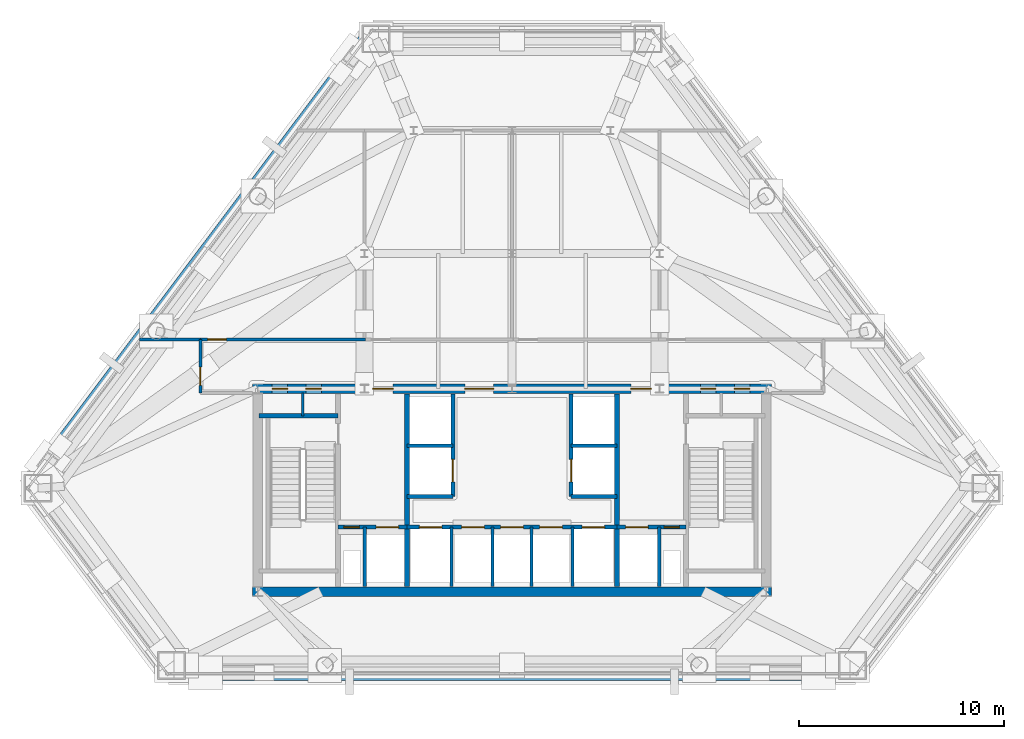
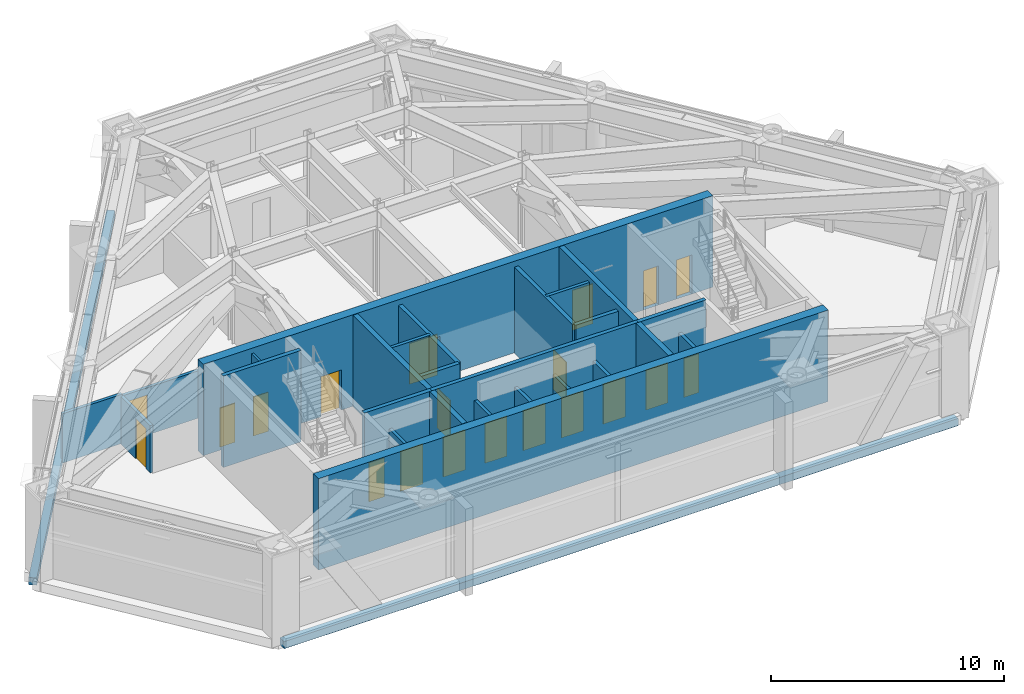
# One storey, part 6 of 9: 26 walls, 20 doors, 20 openings.
"""IFC4 building model written with IfcOpenShell, lengths in metres."""

from ifc_helpers import new_model, si_unit, direction, frame, frame_2d, origin, place, context, subcontext, project, spatial, rectangle, extrude, material, layer, layer_set, type_object, element, fill, save


model = new_model("IFC4")

# Units and contexts
model_context = context("Model", 3, precision=1e-05, world=origin(), true_north=direction((0.0, 1.0)))
body_context = subcontext(model_context, "Body", "Model", "MODEL_VIEW")
ifc_project = project(units=[si_unit("LENGTHUNIT", "METRE"), si_unit("AREAUNIT", "SQUARE_METRE"), si_unit("VOLUMEUNIT", "CUBIC_METRE"), si_unit("PLANEANGLEUNIT", "RADIAN"), si_unit("MASSUNIT", "GRAM", prefix="KILO")], contexts=[model_context])

# Site, building, storey
site_placement = place(None, origin())
site = spatial("IfcSite", under=ifc_project, at=site_placement, CompositionType="ELEMENT")
building_placement = place(site_placement, origin())
building = spatial("IfcBuilding", under=site, at=building_placement, Name="Talgorran Terracotta Tower", CompositionType="ELEMENT")
storey_placement = place(building_placement, frame((0.0, 0.0, 90.0)))
storey = spatial("IfcBuildingStorey", under=building, at=storey_placement, Name="L23", CompositionType="ELEMENT", Elevation=90.0)

# Wall
ifc_material_1 = material(Name="Concrete C50/60", Category="concrete")
ifc_layer_1 = layer(ifc_material_1, 0.199951171875, Name="WT_CORE_200")
ifc_layer_set_1 = layer_set([ifc_layer_1], Name="Concrete C50/60")
wall_type_1 = type_object("IfcWallType", Name="WT_CORE_200", PredefinedType="SOLIDWALL", material=ifc_layer_set_1)
wall_1_placement = place(storey_placement, frame((-12.35009765625, -5.52001953125, 0.0), z_axis=(0.0, 0.0, 1.0), x_axis=(1.0, 0.0, 0.0)))
element("IfcWall", 1, at=wall_1_placement, inside=storey, type_object=wall_type_1, Name="WL-L23-CW-ST1-N", PredefinedType="SOLIDWALL", context=body_context, shape_type="SweptSolid", body=[
    extrude(rectangle(XDim=3.8701171875, YDim=0.199951171875, at=frame_2d((1.93505859375, 0.0))), origin(), (0.0, 0.0, 1.0), 4.800048828125),
])

# Wall, openings, doors
wall_2_placement = place(storey_placement, frame((-8.47998046875, -10.949951171875, 0.0), z_axis=(0.0, 0.0, 1.0), x_axis=(1.0, 0.0, 0.0)))
wall_2 = element("IfcWall", 2, at=wall_2_placement, inside=storey, type_object=wall_type_1, Name="WL-L23-CW-H-SBW", PredefinedType="SOLIDWALL", context=body_context, shape_type="SweptSolid", body=[
    extrude(rectangle(XDim=3.35986328125, YDim=0.199951171875, at=frame_2d((1.679931640625, 0.0))), origin(), (0.0, 0.0, 1.0), 4.800048828125),
])
opening_1_placement = place(wall_2_placement, frame((0.280029296875, 0.0, 0.0)))
opening_1 = element("IfcOpeningElement", 3, at=opening_1_placement, cuts=wall_2, Name="Opening DR-RSW", PredefinedType="OPENING", context=body_context, shape_type="SweptSolid", body=[
    extrude(rectangle(XDim=0.756, YDim=2.054048828125, at=frame_2d((0.375, 1.027099609375))), frame((0.0, 0.10986328125, 0.0), z_axis=(0.0, -1.0, 0.0), x_axis=(1.0, 0.0, 0.0)), (0.0, 0.0, 1.0), 0.219970703125),
])
opening_2_placement = place(wall_2_placement, frame((1.85009765625, 0.0, 0.0)))
opening_2 = element("IfcOpeningElement", 4, at=opening_2_placement, cuts=wall_2, Name="Opening LD-FFL1", PredefinedType="OPENING", context=body_context, shape_type="SweptSolid", body=[
    extrude(rectangle(XDim=1.10609765625, YDim=2.10409765625, at=frame_2d((0.550048828125, 1.052001953125))), frame((0.0, 0.10986328125, 0.0), z_axis=(0.0, -1.0, 0.0), x_axis=(1.0, 0.0, 0.0)), (0.0, 0.0, 1.0), 0.219970703125),
])
ifc_material_2 = material(Name="Brushed Stainless Steel Grade 304", Category="steel")
door_type_1 = type_object("IfcDoorType", Name="DT_LIFT_LD1100", OperationType="DOUBLE_DOOR_SLIDING", PredefinedType="DOOR", material=ifc_material_2)
door_1_placement = place(opening_2_placement, origin())
door_1 = element("IfcDoor", 5, at=door_1_placement, inside=storey, type_object=door_type_1, Name="L23 Lift Landing Door LD-FFL1", OperationType="DOUBLE_DOOR_SLIDING", OverallHeight=2.10009765625, OverallWidth=1.10009765625, PredefinedType="DOOR", context=body_context, shape_type="SweptSolid", body=[
    extrude(rectangle(XDim=1.10009765625, YDim=2.10009765625, at=frame_2d((0.550048828125, 1.050048828125))), frame((0.0, 0.02490234375, 0.0), z_axis=(0.0, -1.0, 0.0), x_axis=(1.0, 0.0, 0.0)), (0.0, 0.0, 1.0), 0.050048828125),
])
fill(opening_2, door_1)
ifc_material_3 = material(Name="Fire-Rated Pressed Steel", Category="steel")
door_type_2 = type_object("IfcDoorType", Name="DT_RISER_750", OperationType="NOTDEFINED", PredefinedType="DOOR", material=ifc_material_3)
door_2_placement = place(opening_1_placement, origin())
door_2 = element("IfcDoor", 6, at=door_2_placement, inside=storey, type_object=door_type_2, Name="DR-RSW", OperationType="SINGLE_SWING_LEFT", OverallHeight=2.050048828125, OverallWidth=0.75, PredefinedType="DOOR", context=body_context, shape_type="SweptSolid", body=[
    extrude(rectangle(XDim=0.75, YDim=2.050048828125, at=frame_2d((0.375, 1.02490234375))), frame((0.0, 0.02490234375, 0.0), z_axis=(0.0, -1.0, 0.0), x_axis=(1.0, 0.0, 0.0)), (0.0, 0.0, 1.0), 0.050048828125),
])
fill(opening_1, door_2)

wall_3_placement = place(storey_placement, frame((-5.1201171875, -10.949951171875, 0.0), z_axis=(0.0, 0.0, 1.0), x_axis=(1.0, 0.0, 0.0)))
wall_3 = element("IfcWall", 7, at=wall_3_placement, inside=storey, type_object=wall_type_1, Name="WL-L23-CW-H-SBC", PredefinedType="SOLIDWALL", context=body_context, shape_type="SweptSolid", body=[
    extrude(rectangle(XDim=10.240234375, YDim=0.199951171875, at=frame_2d((5.1201171875, 0.0))), origin(), (0.0, 0.0, 1.0), 4.800048828125),
])
opening_3_placement = place(wall_3_placement, frame((0.60009765625, 0.0, 0.0)))
opening_3 = element("IfcOpeningElement", 8, at=opening_3_placement, cuts=wall_3, Name="Opening LD-OB1", PredefinedType="OPENING", context=body_context, shape_type="SweptSolid", body=[
    extrude(rectangle(XDim=1.10609765625, YDim=2.10409765625, at=frame_2d((0.550048828125, 1.052001953125))), frame((0.0, 0.10986328125, 0.0), z_axis=(0.0, -1.0, 0.0), x_axis=(1.0, 0.0, 0.0)), (0.0, 0.0, 1.0), 0.219970703125),
])
opening_4_placement = place(wall_3_placement, frame((2.669921875, 0.0, 0.0)))
opening_4 = element("IfcOpeningElement", 9, at=opening_4_placement, cuts=wall_3, Name="Opening LD-PLH1", PredefinedType="OPENING", context=body_context, shape_type="SweptSolid", body=[
    extrude(rectangle(XDim=1.10609765625, YDim=2.10409765625, at=frame_2d((0.550048828125, 1.052001953125))), frame((0.0, 0.10986328125, 0.0), z_axis=(0.0, -1.0, 0.0), x_axis=(1.0, 0.0, 0.0)), (0.0, 0.0, 1.0), 0.219970703125),
])
opening_5_placement = place(wall_3_placement, frame((4.570068359375, 0.0, 0.0)))
opening_5 = element("IfcOpeningElement", 10, at=opening_5_placement, cuts=wall_3, Name="Opening LD-PLH2", PredefinedType="OPENING", context=body_context, shape_type="SweptSolid", body=[
    extrude(rectangle(XDim=1.10609765625, YDim=2.10409765625, at=frame_2d((0.550048828125, 1.052001953125))), frame((0.0, 0.10986328125, 0.0), z_axis=(0.0, -1.0, 0.0), x_axis=(1.0, 0.0, 0.0)), (0.0, 0.0, 1.0), 0.219970703125),
])
opening_6_placement = place(wall_3_placement, frame((6.469970703125, 0.0, 0.0)))
opening_6 = element("IfcOpeningElement", 11, at=opening_6_placement, cuts=wall_3, Name="Opening LD-PLH3", PredefinedType="OPENING", context=body_context, shape_type="SweptSolid", body=[
    extrude(rectangle(XDim=1.10609765625, YDim=2.10409765625, at=frame_2d((0.550048828125, 1.052001953125))), frame((0.0, 0.10986328125, 0.0), z_axis=(0.0, -1.0, 0.0), x_axis=(1.0, 0.0, 0.0)), (0.0, 0.0, 1.0), 0.219970703125),
])
opening_7_placement = place(wall_3_placement, frame((8.5400390625, 0.0, 0.0)))
opening_7 = element("IfcOpeningElement", 12, at=opening_7_placement, cuts=wall_3, Name="Opening LD-SVL1", PredefinedType="OPENING", context=body_context, shape_type="SweptSolid", body=[
    extrude(rectangle(XDim=1.10609765625, YDim=2.10409765625, at=frame_2d((0.550048828125, 1.052001953125))), frame((0.0, 0.10986328125, 0.0), z_axis=(0.0, -1.0, 0.0), x_axis=(1.0, 0.0, 0.0)), (0.0, 0.0, 1.0), 0.219970703125),
])
door_3_placement = place(opening_3_placement, origin())
door_3 = element("IfcDoor", 13, at=door_3_placement, inside=storey, type_object=door_type_1, Name="L23 Lift Landing Door LD-OB1", OperationType="DOUBLE_DOOR_SLIDING", OverallHeight=2.10009765625, OverallWidth=1.10009765625, PredefinedType="DOOR", context=body_context, shape_type="SweptSolid", body=[
    extrude(rectangle(XDim=1.10009765625, YDim=2.10009765625, at=frame_2d((0.550048828125, 1.050048828125))), frame((0.0, 0.02490234375, 0.0), z_axis=(0.0, -1.0, 0.0), x_axis=(1.0, 0.0, 0.0)), (0.0, 0.0, 1.0), 0.050048828125),
])
fill(opening_3, door_3)
door_4_placement = place(opening_4_placement, origin())
door_4 = element("IfcDoor", 14, at=door_4_placement, inside=storey, type_object=door_type_1, Name="L23 Lift Landing Door LD-PLH1", OperationType="DOUBLE_DOOR_SLIDING", OverallHeight=2.10009765625, OverallWidth=1.10009765625, PredefinedType="DOOR", context=body_context, shape_type="SweptSolid", body=[
    extrude(rectangle(XDim=1.10009765625, YDim=2.10009765625, at=frame_2d((0.550048828125, 1.050048828125))), frame((0.0, 0.02490234375, 0.0), z_axis=(0.0, -1.0, 0.0), x_axis=(1.0, 0.0, 0.0)), (0.0, 0.0, 1.0), 0.050048828125),
])
fill(opening_4, door_4)
door_5_placement = place(opening_5_placement, origin())
door_5 = element("IfcDoor", 15, at=door_5_placement, inside=storey, type_object=door_type_1, Name="L23 Lift Landing Door LD-PLH2", OperationType="DOUBLE_DOOR_SLIDING", OverallHeight=2.10009765625, OverallWidth=1.10009765625, PredefinedType="DOOR", context=body_context, shape_type="SweptSolid", body=[
    extrude(rectangle(XDim=1.10009765625, YDim=2.10009765625, at=frame_2d((0.550048828125, 1.050048828125))), frame((0.0, 0.02490234375, 0.0), z_axis=(0.0, -1.0, 0.0), x_axis=(1.0, 0.0, 0.0)), (0.0, 0.0, 1.0), 0.050048828125),
])
fill(opening_5, door_5)
door_6_placement = place(opening_6_placement, origin())
door_6 = element("IfcDoor", 16, at=door_6_placement, inside=storey, type_object=door_type_1, Name="L23 Lift Landing Door LD-PLH3", OperationType="DOUBLE_DOOR_SLIDING", OverallHeight=2.10009765625, OverallWidth=1.10009765625, PredefinedType="DOOR", context=body_context, shape_type="SweptSolid", body=[
    extrude(rectangle(XDim=1.10009765625, YDim=2.10009765625, at=frame_2d((0.550048828125, 1.050048828125))), frame((0.0, 0.02490234375, 0.0), z_axis=(0.0, -1.0, 0.0), x_axis=(1.0, 0.0, 0.0)), (0.0, 0.0, 1.0), 0.050048828125),
])
fill(opening_6, door_6)
door_7_placement = place(opening_7_placement, origin())
door_7 = element("IfcDoor", 17, at=door_7_placement, inside=storey, type_object=door_type_1, Name="L23 Lift Landing Door LD-SVL1", OperationType="DOUBLE_DOOR_SLIDING", OverallHeight=2.10009765625, OverallWidth=1.10009765625, PredefinedType="DOOR", context=body_context, shape_type="SweptSolid", body=[
    extrude(rectangle(XDim=1.10009765625, YDim=2.10009765625, at=frame_2d((0.550048828125, 1.050048828125))), frame((0.0, 0.02490234375, 0.0), z_axis=(0.0, -1.0, 0.0), x_axis=(1.0, 0.0, 0.0)), (0.0, 0.0, 1.0), 0.050048828125),
])
fill(opening_7, door_7)

wall_4_placement = place(storey_placement, frame((5.1201171875, -10.949951171875, 0.0), z_axis=(0.0, 0.0, 1.0), x_axis=(1.0, 0.0, 0.0)))
wall_4 = element("IfcWall", 18, at=wall_4_placement, inside=storey, type_object=wall_type_1, Name="WL-L23-CW-H-SBE", PredefinedType="SOLIDWALL", context=body_context, shape_type="SweptSolid", body=[
    extrude(rectangle(XDim=3.35986328125, YDim=0.199951171875, at=frame_2d((1.679931640625, 0.0))), origin(), (0.0, 0.0, 1.0), 4.800048828125),
])
opening_8_placement = place(wall_4_placement, frame((0.419921875, 0.0, 0.0)))
opening_8 = element("IfcOpeningElement", 19, at=opening_8_placement, cuts=wall_4, Name="Opening LD-FFL2", PredefinedType="OPENING", context=body_context, shape_type="SweptSolid", body=[
    extrude(rectangle(XDim=1.10609765625, YDim=2.10409765625, at=frame_2d((0.550048828125, 1.052001953125))), frame((0.0, 0.10986328125, 0.0), z_axis=(0.0, -1.0, 0.0), x_axis=(1.0, 0.0, 0.0)), (0.0, 0.0, 1.0), 0.219970703125),
])
opening_9_placement = place(wall_4_placement, frame((2.300048828125, 0.0, 0.0)))
opening_9 = element("IfcOpeningElement", 20, at=opening_9_placement, cuts=wall_4, Name="Opening DR-RSE", PredefinedType="OPENING", context=body_context, shape_type="SweptSolid", body=[
    extrude(rectangle(XDim=0.756, YDim=2.054048828125, at=frame_2d((0.375, 1.027099609375))), frame((0.0, 0.10986328125, 0.0), z_axis=(0.0, -1.0, 0.0), x_axis=(1.0, 0.0, 0.0)), (0.0, 0.0, 1.0), 0.219970703125),
])
door_8_placement = place(opening_8_placement, origin())
door_8 = element("IfcDoor", 21, at=door_8_placement, inside=storey, type_object=door_type_1, Name="L23 Lift Landing Door LD-FFL2", OperationType="DOUBLE_DOOR_SLIDING", OverallHeight=2.10009765625, OverallWidth=1.10009765625, PredefinedType="DOOR", context=body_context, shape_type="SweptSolid", body=[
    extrude(rectangle(XDim=1.10009765625, YDim=2.10009765625, at=frame_2d((0.550048828125, 1.050048828125))), frame((0.0, 0.02490234375, 0.0), z_axis=(0.0, -1.0, 0.0), x_axis=(1.0, 0.0, 0.0)), (0.0, 0.0, 1.0), 0.050048828125),
])
fill(opening_8, door_8)
door_9_placement = place(opening_9_placement, origin())
door_9 = element("IfcDoor", 22, at=door_9_placement, inside=storey, type_object=door_type_2, Name="DR-RSE", OperationType="SINGLE_SWING_RIGHT", OverallHeight=2.050048828125, OverallWidth=0.75, PredefinedType="DOOR", context=body_context, shape_type="SweptSolid", body=[
    extrude(rectangle(XDim=0.75, YDim=2.050048828125, at=frame_2d((0.375, 1.02490234375))), frame((0.0, 0.02490234375, 0.0), z_axis=(0.0, -1.0, 0.0), x_axis=(1.0, 0.0, 0.0)), (0.0, 0.0, 1.0), 0.050048828125),
])
fill(opening_9, door_9)

# Wall, opening, door
wall_5_placement = place(storey_placement, frame((-2.8798828125, -9.449951171875, 0.0), z_axis=(0.0, 0.0, 1.0), x_axis=(0.0, 1.0, 0.0)))
wall_5 = element("IfcWall", 23, at=wall_5_placement, inside=storey, type_object=wall_type_1, Name="WL-L23-CW-V-W3", PredefinedType="SOLIDWALL", context=body_context, shape_type="SweptSolid", body=[
    extrude(rectangle(XDim=5.0, YDim=0.199951171875, at=frame_2d((2.5, 0.0))), origin(), (0.0, 0.0, 1.0), 4.52001953125),
])
opening_10_placement = place(wall_5_placement, frame((0.699951171875, 0.0, 0.0)))
opening_10 = element("IfcOpeningElement", 24, at=opening_10_placement, cuts=wall_5, Name="Opening LD-PLL1", PredefinedType="OPENING", context=body_context, shape_type="SweptSolid", body=[
    extrude(rectangle(XDim=1.10609765625, YDim=2.10409765625, at=frame_2d((0.550048828125, 1.052001953125))), frame((0.0, 0.10986328125, 0.0), z_axis=(0.0, -1.0, 0.0), x_axis=(1.0, 0.0, 0.0)), (0.0, 0.0, 1.0), 0.219970703125),
])
door_10_placement = place(opening_10_placement, origin())
door_10 = element("IfcDoor", 25, at=door_10_placement, inside=storey, type_object=door_type_1, Name="L23 Lift Landing Door LD-PLL1", OperationType="DOUBLE_DOOR_SLIDING", OverallHeight=2.10009765625, OverallWidth=1.10009765625, PredefinedType="DOOR", context=body_context, shape_type="SweptSolid", body=[
    extrude(rectangle(XDim=1.10009765625, YDim=2.10009765625, at=frame_2d((0.550048828125, 1.050048828125))), frame((0.0, 0.02490234375, 0.0), z_axis=(0.0, -1.0, 0.0), x_axis=(1.0, 0.0, 0.0)), (0.0, 0.0, 1.0), 0.050048828125),
])
fill(opening_10, door_10)

# Wall
wall_6_placement = place(storey_placement, frame((-5.1201171875, -9.449951171875, 0.0), z_axis=(0.0, 0.0, 1.0), x_axis=(1.0, 0.0, 0.0)))
element("IfcWall", 26, at=wall_6_placement, inside=storey, type_object=wall_type_1, Name="WL-L23-CW-H-W4", PredefinedType="SOLIDWALL", context=body_context, shape_type="SweptSolid", body=[
    extrude(rectangle(XDim=2.240234375, YDim=0.199951171875, at=frame_2d((1.1201171875, 0.0))), origin(), (0.0, 0.0, 1.0), 4.52001953125),
])

# Wall, opening, door
wall_7_placement = place(storey_placement, frame((2.8798828125, -9.449951171875, 0.0), z_axis=(0.0, 0.0, 1.0), x_axis=(0.0, 1.0, 0.0)))
wall_7 = element("IfcWall", 27, at=wall_7_placement, inside=storey, type_object=wall_type_1, Name="WL-L23-CW-V-E3", PredefinedType="SOLIDWALL", context=body_context, shape_type="SweptSolid", body=[
    extrude(rectangle(XDim=5.0, YDim=0.199951171875, at=frame_2d((2.5, 0.0))), origin(), (0.0, 0.0, 1.0), 4.52001953125),
])
opening_11_placement = place(wall_7_placement, frame((0.699951171875, 0.0, 0.0)))
opening_11 = element("IfcOpeningElement", 28, at=opening_11_placement, cuts=wall_7, Name="Opening LD-PLM1", PredefinedType="OPENING", context=body_context, shape_type="SweptSolid", body=[
    extrude(rectangle(XDim=1.10609765625, YDim=2.10409765625, at=frame_2d((0.550048828125, 1.052001953125))), frame((0.0, 0.10986328125, 0.0), z_axis=(0.0, -1.0, 0.0), x_axis=(1.0, 0.0, 0.0)), (0.0, 0.0, 1.0), 0.219970703125),
])
door_11_placement = place(opening_11_placement, origin())
door_11 = element("IfcDoor", 29, at=door_11_placement, inside=storey, type_object=door_type_1, Name="L23 Lift Landing Door LD-PLM1", OperationType="DOUBLE_DOOR_SLIDING", OverallHeight=2.10009765625, OverallWidth=1.10009765625, PredefinedType="DOOR", context=body_context, shape_type="SweptSolid", body=[
    extrude(rectangle(XDim=1.10009765625, YDim=2.10009765625, at=frame_2d((0.550048828125, 1.050048828125))), frame((0.0, 0.02490234375, 0.0), z_axis=(0.0, -1.0, 0.0), x_axis=(1.0, 0.0, 0.0)), (0.0, 0.0, 1.0), 0.050048828125),
])
fill(opening_11, door_11)

# Walls
wall_8_placement = place(storey_placement, frame((2.8798828125, -9.449951171875, 0.0), z_axis=(0.0, 0.0, 1.0), x_axis=(1.0, 0.0, 0.0)))
element("IfcWall", 30, at=wall_8_placement, inside=storey, type_object=wall_type_1, Name="WL-L23-CW-H-E4", PredefinedType="SOLIDWALL", context=body_context, shape_type="SweptSolid", body=[
    extrude(rectangle(XDim=2.240234375, YDim=0.199951171875, at=frame_2d((1.1201171875, 0.0))), origin(), (0.0, 0.0, 1.0), 4.52001953125),
])
ifc_layer_2 = layer(ifc_material_1, 0.25, Name="WT_CORE_250")
ifc_layer_set_2 = layer_set([ifc_layer_2], Name="Concrete C50/60")
wall_type_2 = type_object("IfcWallType", Name="WT_CORE_250", PredefinedType="SHEAR", material=ifc_layer_set_2)
for number, where, z_axis, x_axis, name in (
    (31, (-5.1201171875, -13.85009765625, 0.0), (0.0, 0.0, 1.0), (0.0, 1.0, 0.0), "WL-L23-CW-V-W2"),
    (32, (5.1201171875, -13.85009765625, 0.0), (0.0, 0.0, 1.0), (0.0, 1.0, 0.0), "WL-L23-CW-V-E2"),
):
    element("IfcWall", number, at=place(storey_placement, frame(where, z_axis=z_axis, x_axis=x_axis)), inside=storey, type_object=wall_type_2, Name=name, PredefinedType="SHEAR", context=body_context, shape_type="SweptSolid", body=[
        extrude(rectangle(XDim=9.400146484375, YDim=0.25, at=frame_2d((4.7001953125, 0.0))), origin(), (0.0, 0.0, 1.0), 4.800048828125),
    ])
ifc_material_4 = material(Name="Concrete C65/80", Category="concrete")
ifc_layer_3 = layer(ifc_material_4, 0.449951171875, Name="WT_CORE_EXT")
ifc_layer_set_3 = layer_set([ifc_layer_3], Name="Concrete C65/80")
wall_type_3 = type_object("IfcWallType", Name="WT_CORE_EXT", PredefinedType="SHEAR", material=ifc_layer_set_3)
wall_9_placement = place(storey_placement, frame((-12.64990234375, -14.10009765625, 0.0), z_axis=(0.0, 0.0, 1.0), x_axis=(1.0, 0.0, 0.0)))
element("IfcWall", 33, at=wall_9_placement, inside=storey, type_object=wall_type_3, Name="WL-L23-CW-OUT-S", PredefinedType="SHEAR", context=body_context, shape_type="SweptSolid", body=[
    extrude(rectangle(XDim=25.2998046875, YDim=0.449951171875, at=frame_2d((12.64990234375, 0.0))), origin(), (0.0, 0.0, 1.0), 4.800048828125),
])

# Wall, openings, doors
wall_10_placement = place(storey_placement, frame((-12.64990234375, -4.199951171875, 0.0), z_axis=(0.0, 0.0, 1.0), x_axis=(1.0, 0.0, 0.0)))
wall_10 = element("IfcWall", 34, at=wall_10_placement, inside=storey, type_object=wall_type_3, Name="WL-L23-CW-OUT-N", PredefinedType="SHEAR", context=body_context, shape_type="SweptSolid", body=[
    extrude(rectangle(XDim=25.2998046875, YDim=0.449951171875, at=frame_2d((12.64990234375, 0.0))), origin(), (0.0, 0.0, 1.0), 4.800048828125),
])
opening_12_placement = place(wall_10_placement, frame((0.949951171875, 0.0, 0.0)))
opening_12 = element("IfcOpeningElement", 35, at=opening_12_placement, cuts=wall_10, Name="Opening DR-CSN1", PredefinedType="OPENING", context=body_context, shape_type="SweptSolid", body=[
    extrude(rectangle(XDim=0.756, YDim=2.054048828125, at=frame_2d((0.375, 1.027099609375))), frame((0.0, 0.23486328125, 0.0), z_axis=(0.0, -1.0, 0.0), x_axis=(1.0, 0.0, 0.0)), (0.0, 0.0, 1.0), 0.469970703125),
])
opening_13_placement = place(wall_10_placement, frame((2.60009765625, 0.0, 0.0)))
opening_13 = element("IfcOpeningElement", 36, at=opening_13_placement, cuts=wall_10, Name="Opening DR-CSN2", PredefinedType="OPENING", context=body_context, shape_type="SweptSolid", body=[
    extrude(rectangle(XDim=0.756, YDim=2.054048828125, at=frame_2d((0.375, 1.027099609375))), frame((0.0, 0.23486328125, 0.0), z_axis=(0.0, -1.0, 0.0), x_axis=(1.0, 0.0, 0.0)), (0.0, 0.0, 1.0), 0.469970703125),
])
opening_14_placement = place(wall_10_placement, frame((21.85009765625, 0.0, 0.0)))
opening_14 = element("IfcOpeningElement", 37, at=opening_14_placement, cuts=wall_10, Name="Opening DR-CSN3", PredefinedType="OPENING", context=body_context, shape_type="SweptSolid", body=[
    extrude(rectangle(XDim=0.756, YDim=2.054048828125, at=frame_2d((0.375, 1.027099609375))), frame((0.0, 0.23486328125, 0.0), z_axis=(0.0, -1.0, 0.0), x_axis=(1.0, 0.0, 0.0)), (0.0, 0.0, 1.0), 0.469970703125),
])
opening_15_placement = place(wall_10_placement, frame((23.5, 0.0, 0.0)))
opening_15 = element("IfcOpeningElement", 38, at=opening_15_placement, cuts=wall_10, Name="Opening DR-CSN4", PredefinedType="OPENING", context=body_context, shape_type="SweptSolid", body=[
    extrude(rectangle(XDim=0.756, YDim=2.054048828125, at=frame_2d((0.375, 1.027099609375))), frame((0.0, 0.23486328125, 0.0), z_axis=(0.0, -1.0, 0.0), x_axis=(1.0, 0.0, 0.0)), (0.0, 0.0, 1.0), 0.469970703125),
])
opening_16_placement = place(wall_10_placement, frame((5.85009765625, 0.0, 0.0)))
opening_16 = element("IfcOpeningElement", 39, at=opening_16_placement, cuts=wall_10, Name="Opening DR-FFLW-N", PredefinedType="OPENING", context=body_context, shape_type="SweptSolid", body=[
    extrude(rectangle(XDim=1.006, YDim=2.10409765625, at=frame_2d((0.5, 1.052001953125))), frame((0.0, 0.23486328125, 0.0), z_axis=(0.0, -1.0, 0.0), x_axis=(1.0, 0.0, 0.0)), (0.0, 0.0, 1.0), 0.469970703125),
])
opening_17_placement = place(wall_10_placement, frame((10.35009765625, 0.0, 0.0)))
opening_17 = element("IfcOpeningElement", 40, at=opening_17_placement, cuts=wall_10, Name="Opening DR-PLL-N", PredefinedType="OPENING", context=body_context, shape_type="SweptSolid", body=[
    extrude(rectangle(XDim=1.40590234375, YDim=2.15390234375, at=frame_2d((0.699951171875, 1.076904296875))), frame((0.0, 0.23486328125, 0.0), z_axis=(0.0, -1.0, 0.0), x_axis=(1.0, 0.0, 0.0)), (0.0, 0.0, 1.0), 0.469970703125),
])
opening_18_placement = place(wall_10_placement, frame((18.449951171875, 0.0, 0.0)))
opening_18 = element("IfcOpeningElement", 41, at=opening_18_placement, cuts=wall_10, Name="Opening DR-FFLE-N", PredefinedType="OPENING", context=body_context, shape_type="SweptSolid", body=[
    extrude(rectangle(XDim=1.006, YDim=2.10409765625, at=frame_2d((0.5, 1.052001953125))), frame((0.0, 0.23486328125, 0.0), z_axis=(0.0, -1.0, 0.0), x_axis=(1.0, 0.0, 0.0)), (0.0, 0.0, 1.0), 0.469970703125),
])
ifc_material_5 = material(Name="Acoustic Glazed Timber", Category="wood")
door_type_3 = type_object("IfcDoorType", Name="DT_DOUBLE_1400", OperationType="DOUBLE_DOOR_SINGLE_SWING", PredefinedType="DOOR", material=ifc_material_5)
door_12_placement = place(opening_17_placement, origin())
door_12 = element("IfcDoor", 42, at=door_12_placement, inside=storey, type_object=door_type_3, Name="DR-PLL-N", OperationType="DOUBLE_DOOR_SINGLE_SWING", OverallHeight=2.14990234375, OverallWidth=1.39990234375, PredefinedType="DOOR", context=body_context, shape_type="SweptSolid", body=[
    extrude(rectangle(XDim=1.39990234375, YDim=2.14990234375, at=frame_2d((0.699951171875, 1.074951171875))), frame((0.0, 0.02490234375, 0.0), z_axis=(0.0, -1.0, 0.0), x_axis=(1.0, 0.0, 0.0)), (0.0, 0.0, 1.0), 0.050048828125),
])
fill(opening_17, door_12)
door_type_4 = type_object("IfcDoorType", Name="DT_FIRE_1000", OperationType="NOTDEFINED", PredefinedType="DOOR", material=ifc_material_3)
door_13_placement = place(opening_16_placement, origin())
door_13 = element("IfcDoor", 43, at=door_13_placement, inside=storey, type_object=door_type_4, Name="DR-FFLW-N", OperationType="SINGLE_SWING_LEFT", OverallHeight=2.10009765625, OverallWidth=1.0, PredefinedType="DOOR", context=body_context, shape_type="SweptSolid", body=[
    extrude(rectangle(XDim=1.0, YDim=2.10009765625, at=frame_2d((0.5, 1.050048828125))), frame((0.0, 0.02490234375, 0.0), z_axis=(0.0, -1.0, 0.0), x_axis=(1.0, 0.0, 0.0)), (0.0, 0.0, 1.0), 0.050048828125),
])
fill(opening_16, door_13)
door_14_placement = place(opening_18_placement, origin())
door_14 = element("IfcDoor", 44, at=door_14_placement, inside=storey, type_object=door_type_4, Name="DR-FFLE-N", OperationType="SINGLE_SWING_RIGHT", OverallHeight=2.10009765625, OverallWidth=1.0, PredefinedType="DOOR", context=body_context, shape_type="SweptSolid", body=[
    extrude(rectangle(XDim=1.0, YDim=2.10009765625, at=frame_2d((0.5, 1.050048828125))), frame((0.0, 0.02490234375, 0.0), z_axis=(0.0, -1.0, 0.0), x_axis=(1.0, 0.0, 0.0)), (0.0, 0.0, 1.0), 0.050048828125),
])
fill(opening_18, door_14)
door_15_placement = place(opening_12_placement, origin())
door_15 = element("IfcDoor", 45, at=door_15_placement, inside=storey, type_object=door_type_2, Name="DR-CSN1", OperationType="SINGLE_SWING_LEFT", OverallHeight=2.050048828125, OverallWidth=0.75, PredefinedType="DOOR", context=body_context, shape_type="SweptSolid", body=[
    extrude(rectangle(XDim=0.75, YDim=2.050048828125, at=frame_2d((0.375, 1.02490234375))), frame((0.0, 0.02490234375, 0.0), z_axis=(0.0, -1.0, 0.0), x_axis=(1.0, 0.0, 0.0)), (0.0, 0.0, 1.0), 0.050048828125),
])
fill(opening_12, door_15)
door_16_placement = place(opening_13_placement, origin())
door_16 = element("IfcDoor", 46, at=door_16_placement, inside=storey, type_object=door_type_2, Name="DR-CSN2", OperationType="SINGLE_SWING_RIGHT", OverallHeight=2.050048828125, OverallWidth=0.75, PredefinedType="DOOR", context=body_context, shape_type="SweptSolid", body=[
    extrude(rectangle(XDim=0.75, YDim=2.050048828125, at=frame_2d((0.375, 1.02490234375))), frame((0.0, 0.02490234375, 0.0), z_axis=(0.0, -1.0, 0.0), x_axis=(1.0, 0.0, 0.0)), (0.0, 0.0, 1.0), 0.050048828125),
])
fill(opening_13, door_16)
door_17_placement = place(opening_14_placement, origin())
door_17 = element("IfcDoor", 47, at=door_17_placement, inside=storey, type_object=door_type_2, Name="DR-CSN3", OperationType="SINGLE_SWING_LEFT", OverallHeight=2.050048828125, OverallWidth=0.75, PredefinedType="DOOR", context=body_context, shape_type="SweptSolid", body=[
    extrude(rectangle(XDim=0.75, YDim=2.050048828125, at=frame_2d((0.375, 1.02490234375))), frame((0.0, 0.02490234375, 0.0), z_axis=(0.0, -1.0, 0.0), x_axis=(1.0, 0.0, 0.0)), (0.0, 0.0, 1.0), 0.050048828125),
])
fill(opening_14, door_17)
door_18_placement = place(opening_15_placement, origin())
door_18 = element("IfcDoor", 48, at=door_18_placement, inside=storey, type_object=door_type_2, Name="DR-CSN4", OperationType="SINGLE_SWING_RIGHT", OverallHeight=2.050048828125, OverallWidth=0.75, PredefinedType="DOOR", context=body_context, shape_type="SweptSolid", body=[
    extrude(rectangle(XDim=0.75, YDim=2.050048828125, at=frame_2d((0.375, 1.02490234375))), frame((0.0, 0.02490234375, 0.0), z_axis=(0.0, -1.0, 0.0), x_axis=(1.0, 0.0, 0.0)), (0.0, 0.0, 1.0), 0.050048828125),
])
fill(opening_15, door_18)

# Wall, opening, door
ifc_material_6 = material(Name="Fire-Rated Steel Stud Plasterboard", Category="steel")
ifc_layer_4 = layer(ifc_material_6, 0.14990234375, Name="WT_FIRE_150")
ifc_layer_set_4 = layer_set([ifc_layer_4], Name="Fire-Rated Steel Stud Plasterboard")
wall_type_4 = type_object("IfcWallType", Name="WT_FIRE_150", PredefinedType="PARTITIONING", material=ifc_layer_set_4)
wall_11_placement = place(storey_placement, frame((-15.199951171875, -1.800048828125, 0.0), z_axis=(0.0, 0.0, 1.0), x_axis=(1.0, 0.0, 0.0)))
wall_11 = element("IfcWall", 49, at=wall_11_placement, inside=storey, type_object=wall_type_4, Name="WL-L23-W-L23-R05", PredefinedType="PARTITIONING", context=body_context, shape_type="SweptSolid", body=[
    extrude(rectangle(XDim=8.06005859375, YDim=0.14990234375, at=frame_2d((4.030029296875, 0.0))), origin(), (0.0, 0.0, 1.0), 2.485107421875),
])
opening_19_placement = place(wall_11_placement, frame((0.360107421875, 0.0, 0.0)))
opening_19 = element("IfcOpeningElement", 50, at=opening_19_placement, cuts=wall_11, Name="Opening DR-L23-R03", PredefinedType="OPENING", context=body_context, shape_type="SweptSolid", body=[
    extrude(rectangle(XDim=0.90590234375, YDim=2.10409765625, at=frame_2d((0.449951171875, 1.052001953125))), frame((0.0, 0.0849609375, 0.0), z_axis=(0.0, -1.0, 0.0), x_axis=(1.0, 0.0, 0.0)), (0.0, 0.0, 1.0), 0.169921875),
])
ifc_material_7 = material(Name="Fire-Rated Timber Core", Category="wood")
door_type_5 = type_object("IfcDoorType", Name="DT_FIRE_900", OperationType="NOTDEFINED", PredefinedType="DOOR", material=ifc_material_7)
door_19_placement = place(opening_19_placement, origin())
door_19 = element("IfcDoor", 51, at=door_19_placement, inside=storey, type_object=door_type_5, Name="DR-L23-R03", OperationType="SINGLE_SWING_LEFT", OverallHeight=2.10009765625, OverallWidth=0.89990234375, PredefinedType="DOOR", context=body_context, shape_type="SweptSolid", body=[
    extrude(rectangle(XDim=0.89990234375, YDim=2.10009765625, at=frame_2d((0.449951171875, 1.050048828125))), frame((0.0, 0.02490234375, 0.0), z_axis=(0.0, -1.0, 0.0), x_axis=(1.0, 0.0, 0.0)), (0.0, 0.0, 1.0), 0.050048828125),
])
fill(opening_19, door_19)

# Wall
wall_12_placement = place(storey_placement, frame((-18.16650390625, -1.800048828125, 0.0), z_axis=(0.0, 0.0, 1.0), x_axis=(1.0, 0.0, 0.0)))
element("IfcWall", 52, at=wall_12_placement, inside=storey, type_object=wall_type_4, Name="WL-L23-W-L23-R09", PredefinedType="PARTITIONING", context=body_context, shape_type="SweptSolid", body=[
    extrude(rectangle(XDim=2.966552734375, YDim=0.14990234375, at=frame_2d((1.4833984375, 0.0))), origin(), (0.0, 0.0, 1.0), 2.5849609375),
])

# Wall, opening, door
wall_13_placement = place(storey_placement, frame((-15.199951171875, -4.39990234375, 0.0), z_axis=(0.0, 0.0, 1.0), x_axis=(0.0, 1.0, 0.0)))
wall_13 = element("IfcWall", 53, at=wall_13_placement, inside=storey, type_object=wall_type_4, Name="WL-L23-W-L23-R01", PredefinedType="PARTITIONING", context=body_context, shape_type="SweptSolid", body=[
    extrude(rectangle(XDim=2.599853515625, YDim=0.14990234375, at=frame_2d((1.2998046875, 0.0))), origin(), (0.0, 0.0, 1.0), 2.485107421875),
])
opening_20_placement = place(wall_13_placement, frame((0.356689453125, 0.0, 0.0)))
opening_20 = element("IfcOpeningElement", 54, at=opening_20_placement, cuts=wall_13, Name="Opening DR-L23-R01", PredefinedType="OPENING", context=body_context, shape_type="SweptSolid", body=[
    extrude(rectangle(XDim=0.90590234375, YDim=2.10409765625, at=frame_2d((0.449951171875, 1.052001953125))), frame((0.0, 0.0849609375, 0.0), z_axis=(0.0, -1.0, 0.0), x_axis=(1.0, 0.0, 0.0)), (0.0, 0.0, 1.0), 0.169921875),
])
door_20_placement = place(opening_20_placement, origin())
door_20 = element("IfcDoor", 55, at=door_20_placement, inside=storey, type_object=door_type_5, Name="DR-L23-R01", OperationType="SINGLE_SWING_LEFT", OverallHeight=2.10009765625, OverallWidth=0.89990234375, PredefinedType="DOOR", context=body_context, shape_type="SweptSolid", body=[
    extrude(rectangle(XDim=0.89990234375, YDim=2.10009765625, at=frame_2d((0.449951171875, 1.050048828125))), frame((0.0, 0.02490234375, 0.0), z_axis=(0.0, -1.0, 0.0), x_axis=(1.0, 0.0, 0.0)), (0.0, 0.0, 1.0), 0.050048828125),
])
fill(opening_20, door_20)

# Walls
ifc_material_8 = material(Name="Concrete C40/50", Category="concrete")
ifc_layer_5 = layer(ifc_material_8, 0.219970703125, Name="WT_PARAPET_RC")
ifc_layer_set_5 = layer_set([ifc_layer_5], Name="Concrete C40/50")
wall_type_5 = type_object("IfcWallType", Name="WT_PARAPET_RC", PredefinedType="PARAPET", material=ifc_layer_set_5)
wall_14_placement = place(storey_placement, frame((-16.7333984375, -18.26220703125, -0.199951171875), z_axis=(0.0, 0.0, 1.0), x_axis=(1.0, 0.0, 0.0)))
element("IfcWall", 56, at=wall_14_placement, inside=storey, type_object=wall_type_5, Name="L23 Striped Portal Precast Cornice F1", PredefinedType="PARAPET", context=body_context, shape_type="SweptSolid", body=[
    extrude(rectangle(XDim=33.466796875, YDim=0.360107421875, at=frame_2d((16.7333984375, 0.0))), origin(), (0.0, 0.0, 1.0), 0.3798828125),
])
wall_15_placement = place(storey_placement, frame((-7.0126953125, 13.29736328125, -0.199951171875), z_axis=(0.0, 0.0, 1.0), x_axis=(-0.601043466881, -0.799216335493, 0.0)))
element("IfcWall", 57, at=wall_15_placement, inside=storey, type_object=wall_type_5, Name="L23 Striped Portal Precast Cornice F5", PredefinedType="PARAPET", context=body_context, shape_type="SweptSolid", body=[
    extrude(rectangle(XDim=27.763427734375, YDim=0.360107421875, at=frame_2d((13.8818359375, 0.0))), origin(), (0.0, 0.0, 1.0), 0.3798828125),
])
ifc_material_9 = material(Name="Insulated Steel Stud Plasterboard", Category="steel")
ifc_layer_6 = layer(ifc_material_9, 0.1201171875, Name="WT_PART_120")
ifc_layer_set_6 = layer_set([ifc_layer_6], Name="Insulated Steel Stud Plasterboard")
wall_type_6 = type_object("IfcWallType", Name="WT_PART_120", PredefinedType="PARTITIONING", material=ifc_layer_set_6)
wall_16_placement = place(storey_placement, frame((-10.199951171875, -5.52001953125, 0.0), z_axis=(0.0, 0.0, 1.0), x_axis=(0.0, 1.0, 0.0)))
element("IfcWall", 58, at=wall_16_placement, inside=storey, type_object=wall_type_6, Name="WL-L23-CW-CSW-DIV", PredefinedType="PARTITIONING", context=body_context, shape_type="SweptSolid", body=[
    extrude(rectangle(XDim=1.1201171875, YDim=0.1201171875, at=frame_2d((0.56005859375, 0.0))), origin(), (0.0, 0.0, 1.0), 4.52001953125),
])
ifc_material_10 = material(Name="Fire-Rated Shaftwall")
ifc_layer_7 = layer(ifc_material_10, 0.159912109375, Name="WT_PART_150")
ifc_layer_set_7 = layer_set([ifc_layer_7], Name="Fire-Rated Shaftwall")
wall_type_7 = type_object("IfcWallType", Name="WT_PART_150", PredefinedType="PARTITIONING", material=ifc_layer_set_7)
for number, where, z_axis, x_axis, name in (
    (59, (-5.1201171875, -6.97998046875, 0.0), (0.0, 0.0, 1.0), (1.0, 0.0, 0.0), "WL-L23-CW-PLL-DIV"),
    (60, (2.8798828125, -6.97998046875, 0.0), (0.0, 0.0, 1.0), (1.0, 0.0, 0.0), "WL-L23-CW-PLM-DIV"),
):
    element("IfcWall", number, at=place(storey_placement, frame(where, z_axis=z_axis, x_axis=x_axis)), inside=storey, type_object=wall_type_7, Name=name, PredefinedType="PARTITIONING", context=body_context, shape_type="SweptSolid", body=[
        extrude(rectangle(XDim=2.240234375, YDim=0.159912109375, at=frame_2d((1.1201171875, 0.0))), origin(), (0.0, 0.0, 1.0), 4.52001953125),
    ])
for number, where, z_axis, x_axis, name in (
    (61, (-7.179931640625, -13.85009765625, 0.0), (0.0, 0.0, 1.0), (0.0, 1.0, 0.0), "WL-L23-CW-RSW"),
    (62, (7.179931640625, -13.85009765625, 0.0), (0.0, 0.0, 1.0), (0.0, 1.0, 0.0), "WL-L23-CW-RSE"),
    (63, (-2.949951171875, -13.85009765625, 0.0), (0.0, 0.0, 1.0), (0.0, 1.0, 0.0), "WL-L23-CW-OB-E"),
    (64, (2.949951171875, -13.85009765625, 0.0), (0.0, 0.0, 1.0), (0.0, 1.0, 0.0), "WL-L23-CW-SV-W"),
    (65, (-0.949951171875, -13.85009765625, 0.0), (0.0, 0.0, 1.0), (0.0, 1.0, 0.0), "WL-L23-CW-PLH-D1"),
    (66, (0.949951171875, -13.85009765625, 0.0), (0.0, 0.0, 1.0), (0.0, 1.0, 0.0), "WL-L23-CW-PLH-D2"),
):
    element("IfcWall", number, at=place(storey_placement, frame(where, z_axis=z_axis, x_axis=x_axis)), inside=storey, type_object=wall_type_7, Name=name, PredefinedType="PARTITIONING", context=body_context, shape_type="SweptSolid", body=[
        extrude(rectangle(XDim=2.900146484375, YDim=0.159912109375, at=frame_2d((1.4501953125, 0.0))), origin(), (0.0, 0.0, 1.0), 3.544921875),
    ])

save(model, "model.ifc")
